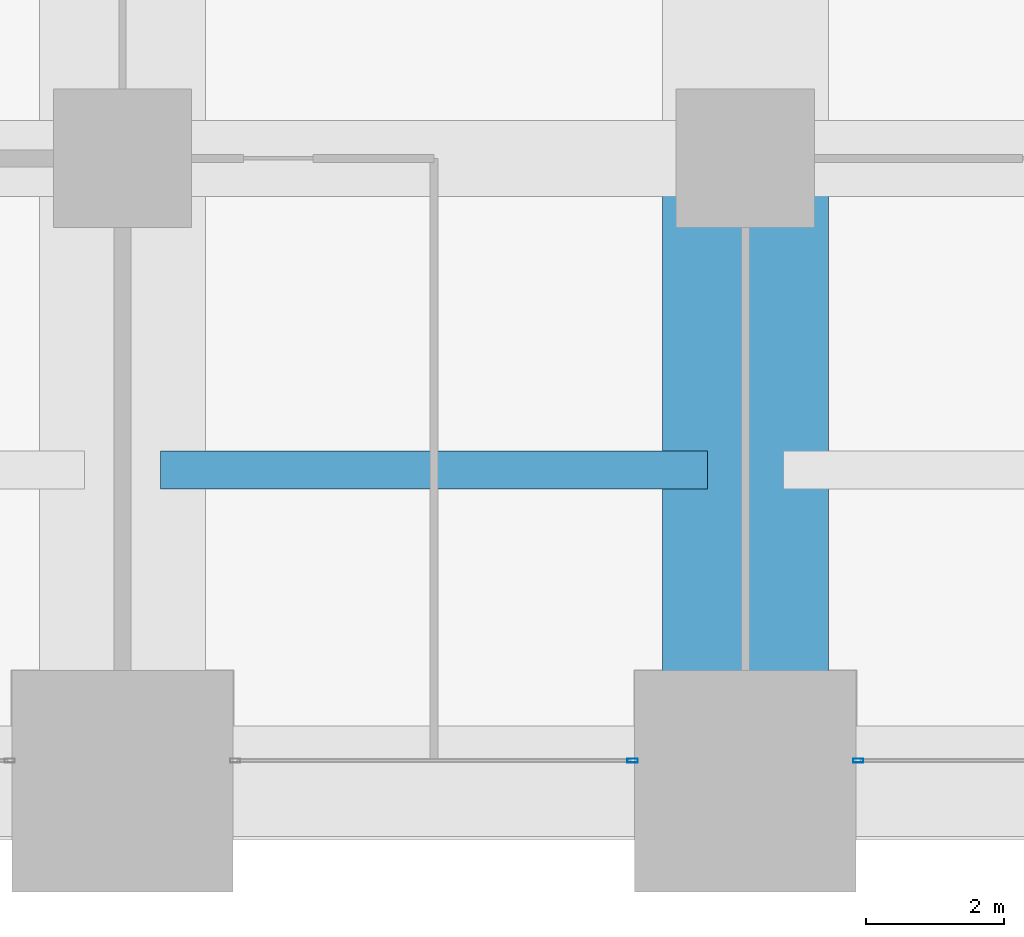
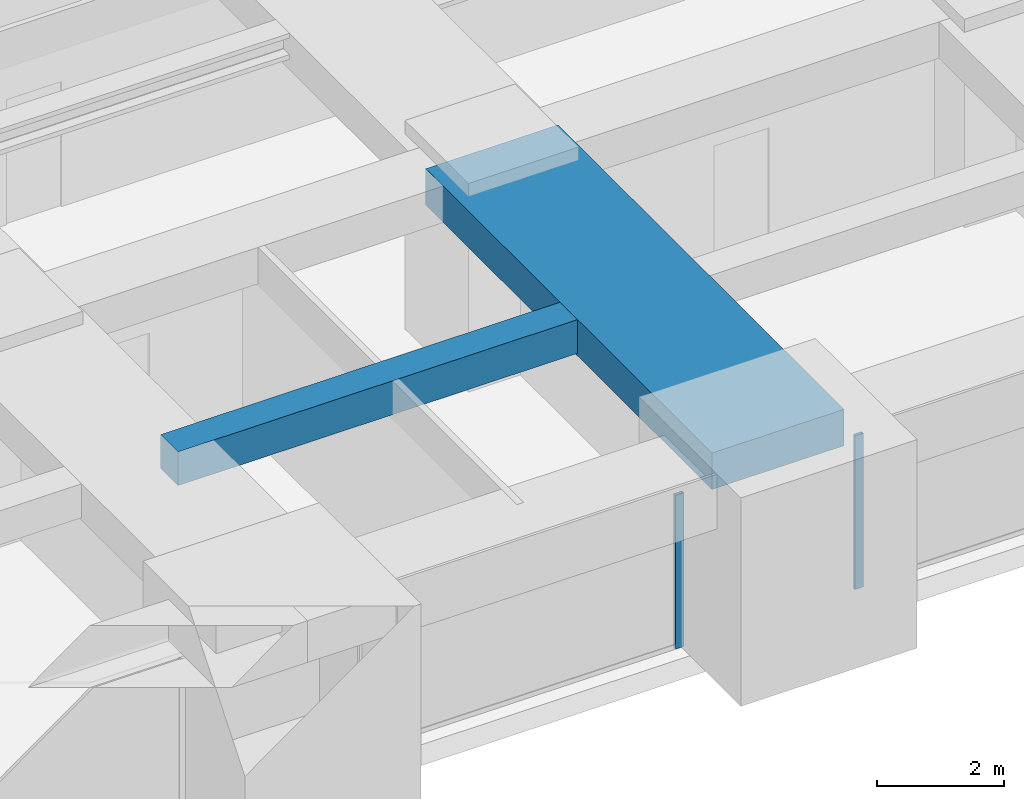
# One storey, part 14 of 35: 2 beams, 2 members, 2 elements without a shape of their own.
"""IFC4 building model written with IfcOpenShell, lengths in metres."""

from ifc_helpers import new_model, si_unit, direction, frame, origin, origin_2d, place, context, subcontext, project, spatial, rectangle, hollow_rectangle, extrude, material, material_profile, profile_set, type_object, element, aggregate, save


model = new_model("IFC4")

# Units and contexts
model_context = context("Model", 3, precision=1e-05, world=origin(), true_north=direction((0.0, 1.0)))
body_context = subcontext(model_context, "Body", "Model", "MODEL_VIEW")
ifc_project = project(units=[si_unit("LENGTHUNIT", "METRE"), si_unit("AREAUNIT", "SQUARE_METRE"), si_unit("VOLUMEUNIT", "CUBIC_METRE"), si_unit("PLANEANGLEUNIT", "RADIAN"), si_unit("MASSUNIT", "GRAM", prefix="KILO")], contexts=[model_context])

# Site, building, storey
site_placement = place(None, origin())
site = spatial("IfcSite", under=ifc_project, at=site_placement, CompositionType="ELEMENT")
building_placement = place(site_placement, origin())
building = spatial("IfcBuilding", under=site, at=building_placement, Name="Zorevar Civic Tower", CompositionType="ELEMENT")
storey_placement = place(building_placement, frame((0.0, 0.0, 162.199951171875)))
storey = spatial("IfcBuildingStorey", under=building, at=storey_placement, Name="L39", CompositionType="ELEMENT", Elevation=162.199951171875)

# Beams
ifc_material_1 = material(Name="Concrete C50/60", Category="concrete")
ifc_material_profile_1 = material_profile(ifc_material_1, rectangle(XDim=2.39990234375, YDim=0.699951171875, at=origin_2d()), Name="RC 2400x700")
ifc_profile_set_1 = profile_set([ifc_material_profile_1], Name="Concrete C50/60")
beam_type_1 = type_object("IfcBeamType", Name="Beam RC 2400x700", PredefinedType="BEAM", material=ifc_profile_set_1)
beam_1_placement = place(storey_placement, frame((36.0, 0.0, 3.400146484375), z_axis=(0.0, 1.0, 0.0), x_axis=(-1.0, 0.0, 0.0)))
element("IfcBeam", 1, at=beam_1_placement, inside=storey, type_object=beam_type_1, Name="Girder L40", PredefinedType="BEAM", context=body_context, shape_type="SweptSolid", body=[
    extrude(rectangle(XDim=2.39990234375, YDim=0.699951171875, at=origin_2d()), origin(), (0.0, 0.0, 1.0), 9.0),
])
ifc_material_2 = material(Name="Concrete C50/60", Category="concrete")
ifc_material_profile_2 = material_profile(ifc_material_2, rectangle(XDim=0.550048828125, YDim=0.64990234375, at=origin_2d()), Name="RC 550x650")
ifc_profile_set_2 = profile_set([ifc_material_profile_2], Name="Concrete C50/60")
beam_type_2 = type_object("IfcBeamType", Name="Beam RC 550x650", PredefinedType="BEAM", material=ifc_profile_set_2)
beam_2_placement = place(storey_placement, frame((27.550048828125, 4.5, 3.425048828125), z_axis=(1.0, 0.0, 0.0), x_axis=(0.0, 1.0, 0.0)))
element("IfcBeam", 2, at=beam_2_placement, inside=storey, type_object=beam_type_2, Name="Secondary beam L40", PredefinedType="BEAM", context=body_context, shape_type="SweptSolid", body=[
    extrude(rectangle(XDim=0.550048828125, YDim=0.64990234375, at=origin_2d()), origin(), (0.0, 0.0, 1.0), 7.89990234375),
])

# Curtain wall, member
ifc_material_3 = material(Name="Dark grey solar-control glass in black aluminium frame", Category="aluminium")
curtain_wall_type = type_object("IfcCurtainWallType", Name="Curtain wall CW4 high zone", PredefinedType="NOTDEFINED", material=ifc_material_3)
curtain_wall_1_placement = place(storey_placement, origin())
curtain_wall_1 = element("IfcCurtainWall", 3, at=curtain_wall_1_placement, inside=storey, type_object=curtain_wall_type, Name="CW4 L39", PredefinedType="NOTDEFINED")
ifc_material_4 = material(Name="Aluminium, black anodised", Category="aluminium")
ifc_material_profile_3 = material_profile(ifc_material_4, hollow_rectangle(XDim=0.06005859375, YDim=0.14990234375, WallThickness=0.00390625, at=origin_2d()), Name="AL 150x60x4")
ifc_profile_set_3 = profile_set([ifc_material_profile_3], Name="Aluminium, black anodised")
member_type = type_object("IfcMemberType", Name="CW4 mullion AL 150x60x4", PredefinedType="MULLION", material=ifc_profile_set_3)
member_1_placement = place(storey_placement, frame((34.3701171875, 0.300048828125, 0.0), z_axis=(0.0, 0.0, 1.0), x_axis=(0.0, 1.0, 0.0)))
member_1 = element("IfcMember", 4, at=member_1_placement, type_object=member_type, Name="CW4 mullion 2", PredefinedType="MULLION", context=body_context, shape_type="SweptSolid", body=[
    extrude(hollow_rectangle(XDim=0.06005859375, YDim=0.14990234375, WallThickness=0.00390625, at=origin_2d()), origin(), (0.0, 0.0, 1.0), 2.949951171875),
])
aggregate(curtain_wall_1, [member_1])

curtain_wall_2_placement = place(storey_placement, origin())
curtain_wall_2 = element("IfcCurtainWall", 5, at=curtain_wall_2_placement, inside=storey, type_object=curtain_wall_type, Name="CW4 L39", PredefinedType="NOTDEFINED")
member_2_placement = place(storey_placement, frame((37.6298828125, 0.300048828125, 0.0), z_axis=(0.0, 0.0, 1.0), x_axis=(0.0, 1.0, 0.0)))
member_2 = element("IfcMember", 6, at=member_2_placement, type_object=member_type, Name="CW4 mullion 1", PredefinedType="MULLION", context=body_context, shape_type="SweptSolid", body=[
    extrude(hollow_rectangle(XDim=0.06005859375, YDim=0.14990234375, WallThickness=0.00390625, at=origin_2d()), origin(), (0.0, 0.0, 1.0), 2.949951171875),
])
aggregate(curtain_wall_2, [member_2])

save(model, "model.ifc")
